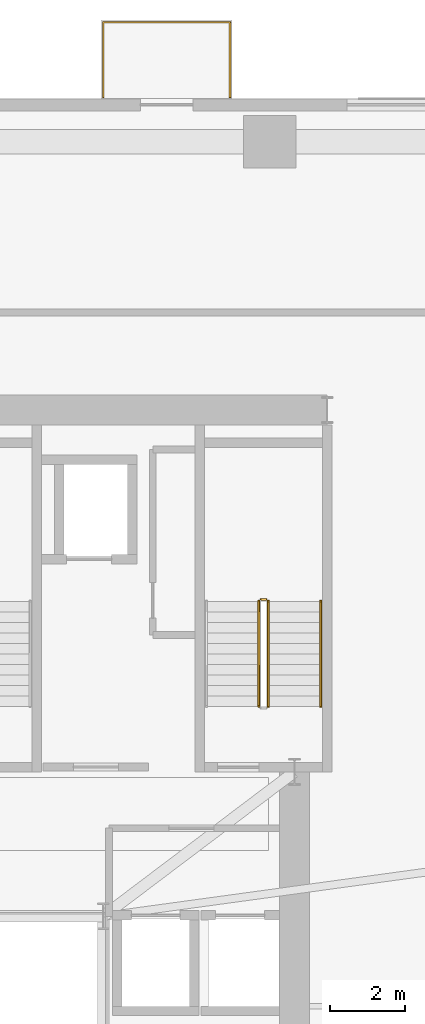
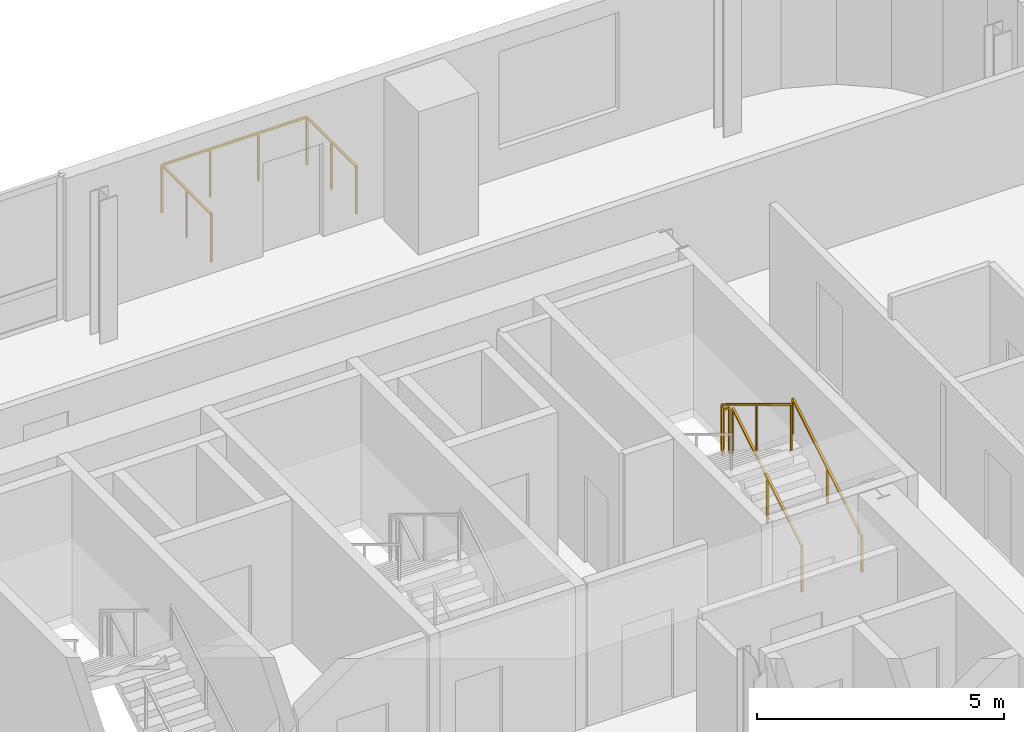
# One storey, part 16 of 16: 5 railings.
"""IFC4 building model written with IfcOpenShell, lengths in metres."""

from ifc_helpers import new_model, si_unit, direction, frame, origin, origin_2d, place, context, subcontext, project, spatial, rectangle, extrude, source, transform, mapped, material, type_object, element, save


model = new_model("IFC4")

# Units and contexts
model_context = context("Model", 3, precision=1e-05, world=origin(), true_north=direction((0.0, 1.0)))
body_context = subcontext(model_context, "Body", "Model", "MODEL_VIEW")
ifc_project = project(units=[si_unit("LENGTHUNIT", "METRE"), si_unit("AREAUNIT", "SQUARE_METRE"), si_unit("VOLUMEUNIT", "CUBIC_METRE"), si_unit("PLANEANGLEUNIT", "RADIAN"), si_unit("MASSUNIT", "GRAM", prefix="KILO")], contexts=[model_context])

# Site, building, storey
site_placement = place(None, origin())
site = spatial("IfcSite", under=ifc_project, at=site_placement, CompositionType="ELEMENT")
building_placement = place(site_placement, origin())
building = spatial("IfcBuilding", under=site, at=building_placement, Name="Vardaveli Station Tower", CompositionType="ELEMENT")
storey_placement = place(building_placement, frame((0.0, 0.0, 226.050048828125)))
storey = spatial("IfcBuildingStorey", under=building, at=storey_placement, Name="L58", CompositionType="ELEMENT", Elevation=226.050048828125)

# Railings
ifc_material_1 = material(Name="Laminated glass and stainless steel balustrade", Category="steel")
railing_type_1 = type_object("IfcRailingType", Name="RL-BAL-1200", PredefinedType="BALUSTRADE", material=ifc_material_1)
shared_shape_1 = source(origin(), body_context, "Body", "SweptSolid", [
    extrude(rectangle(XDim=0.048095703125, YDim=0.048095703125, at=origin_2d()), frame((0.0, 0.0, 1.17578125), z_axis=(0.0, 1.0, 0.0), x_axis=(-1.0, 0.0, 0.0)), (0.0, 0.0, 1.0), 2.0),
    extrude(rectangle(XDim=0.048095703125, YDim=0.048095703125, at=origin_2d()), frame((0.0, 2.0, 1.17578125), z_axis=(1.0, 0.0, 0.0), x_axis=(0.0, 1.0, 0.0)), (0.0, 0.0, 1.0), 3.3798828125),
    extrude(rectangle(XDim=0.048095703125, YDim=0.048095703125, at=origin_2d()), frame((3.3798828125, 2.0, 1.17578125), z_axis=(0.0, -1.0, 0.0), x_axis=(1.0, 0.0, 0.0)), (0.0, 0.0, 1.0), 2.0),
    extrude(rectangle(XDim=0.0419921875, YDim=0.0419921875, at=origin_2d()), origin(), (0.0, 0.0, 1.0), 1.15185546875),
    extrude(rectangle(XDim=0.0419921875, YDim=0.0419921875, at=origin_2d()), frame((0.0, 1.0, 0.0)), (0.0, 0.0, 1.0), 1.15185546875),
    extrude(rectangle(XDim=0.0419921875, YDim=0.0419921875, at=origin_2d()), frame((0.0, 2.0, 0.0)), (0.0, 0.0, 1.0), 1.15185546875),
    extrude(rectangle(XDim=0.0419921875, YDim=0.0419921875, at=origin_2d()), frame((1.126708984375, 2.0, 0.0)), (0.0, 0.0, 1.0), 1.15185546875),
    extrude(rectangle(XDim=0.0419921875, YDim=0.0419921875, at=origin_2d()), frame((2.253173828125, 2.0, 0.0)), (0.0, 0.0, 1.0), 1.15185546875),
    extrude(rectangle(XDim=0.0419921875, YDim=0.0419921875, at=origin_2d()), frame((3.3798828125, 2.0, 0.0)), (0.0, 0.0, 1.0), 1.15185546875),
    extrude(rectangle(XDim=0.0419921875, YDim=0.0419921875, at=origin_2d()), frame((3.3798828125, 1.0, 0.0)), (0.0, 0.0, 1.0), 1.15185546875),
    extrude(rectangle(XDim=0.0419921875, YDim=0.0419921875, at=origin_2d()), frame((3.3798828125, 0.0, 0.0)), (0.0, 0.0, 1.0), 1.15185546875),
])
railing_1_placement = place(storey_placement, frame((41.399658203125, 48.639892578125, 0.0)))
element("IfcRailing", 1, at=railing_1_placement, inside=storey, type_object=railing_type_1, Name="RL-LOG-L58-02", PredefinedType="BALUSTRADE", context=body_context, shape_type="MappedRepresentation", body=[
    mapped(shared_shape_1, transform((0.0, 0.0, 0.0), scale=1.0)),
])
ifc_material_2 = material(Name="Brushed AISI 316 stainless steel", Category="steel")
railing_type_2 = type_object("IfcRailingType", Name="RL-GUARD-1150", PredefinedType="GUARDRAIL", material=ifc_material_2)
shared_shape_2 = source(origin(), body_context, "Body", "SweptSolid", [
    extrude(rectangle(XDim=0.048095703125, YDim=0.048095703125, at=origin_2d()), frame((0.0, 0.0, 1.1259765625), z_axis=(-1.0, 0.0, 0.0), x_axis=(0.0, -1.0, 0.0)), (0.0, 0.0, 1.0), 0.14990234375),
    extrude(rectangle(XDim=0.0419921875, YDim=0.0419921875, at=origin_2d()), origin(), (0.0, 0.0, 1.0), 1.101806640625),
    extrude(rectangle(XDim=0.0419921875, YDim=0.0419921875, at=origin_2d()), frame((-0.14990234375, 0.0, 0.0)), (0.0, 0.0, 1.0), 1.101806640625),
])
railing_2_placement = place(storey_placement, frame((45.75, 35.25, 1.875)))
element("IfcRailing", 2, at=railing_2_placement, inside=storey, type_object=railing_type_2, Name="L58 ST-3 stair guard 2", PredefinedType="GUARDRAIL", context=body_context, shape_type="MappedRepresentation", body=[
    mapped(shared_shape_2, transform((0.0, 0.0, 0.0), scale=1.0)),
])
shared_shape_3 = source(origin(), body_context, "Body", "SweptSolid", [
    extrude(rectangle(XDim=0.048095703125, YDim=0.048095703125, at=origin_2d()), frame((0.0, 0.0, 1.1259765625), z_axis=(0.0, 0.854169791009, 0.51999420009), x_axis=(-1.0, 0.0, 0.0)), (0.0, 0.0, 1.0), 3.278076171875),
    extrude(rectangle(XDim=0.0419921875, YDim=0.0419921875, at=origin_2d()), origin(), (0.0, 0.0, 1.0), 1.101806640625),
    extrude(rectangle(XDim=0.0419921875, YDim=0.0419921875, at=origin_2d()), frame((0.0, 1.39990234375, 0.852294921875)), (0.0, 0.0, 1.0), 1.101806640625),
    extrude(rectangle(XDim=0.0419921875, YDim=0.0419921875, at=origin_2d()), frame((0.0, 2.800048828125, 1.70458984375)), (0.0, 0.0, 1.0), 1.101806640625),
])
railing_3_placement = place(storey_placement, frame((45.800048828125, 32.39990234375, 0.17041015625)))
element("IfcRailing", 3, at=railing_3_placement, inside=storey, type_object=railing_type_2, Name="L58 ST-3 stair guard 1", PredefinedType="GUARDRAIL", context=body_context, shape_type="MappedRepresentation", body=[
    mapped(shared_shape_3, transform((0.0, 0.0, 0.0), scale=1.0)),
])
shared_shape_4 = source(origin(), body_context, "Body", "SweptSolid", [
    extrude(rectangle(XDim=0.048095703125, YDim=0.048095703125, at=origin_2d()), frame((0.0, 0.0, 1.1259765625), z_axis=(0.0, -0.854169791009, 0.51999420009), x_axis=(1.0, 0.0, 0.0)), (0.0, 0.0, 1.0), 3.278076171875),
    extrude(rectangle(XDim=0.0419921875, YDim=0.0419921875, at=origin_2d()), origin(), (0.0, 0.0, 1.0), 1.101806640625),
    extrude(rectangle(XDim=0.0419921875, YDim=0.0419921875, at=origin_2d()), frame((0.0, -1.39990234375, 0.852294921875)), (0.0, 0.0, 1.0), 1.101806640625),
    extrude(rectangle(XDim=0.0419921875, YDim=0.0419921875, at=origin_2d()), frame((0.0, -2.800048828125, 1.70458984375)), (0.0, 0.0, 1.0), 1.101806640625),
])
railing_4_placement = place(storey_placement, frame((45.550048828125, 35.199951171875, 2.04541015625)))
element("IfcRailing", 4, at=railing_4_placement, inside=storey, type_object=railing_type_2, Name="L58 ST-3 stair guard 3", PredefinedType="GUARDRAIL", context=body_context, shape_type="MappedRepresentation", body=[
    mapped(shared_shape_4, transform((0.0, 0.0, 0.0), scale=1.0)),
])
railing_type_3 = type_object("IfcRailingType", Name="RL-HAND-900", PredefinedType="HANDRAIL", material=ifc_material_2)
shared_shape_5 = source(origin(), body_context, "Body", "SweptSolid", [
    extrude(rectangle(XDim=0.048095703125, YDim=0.048095703125, at=origin_2d()), frame((0.0, 0.0, 0.8759765625), z_axis=(0.0, 0.854169791009, 0.51999420009), x_axis=(-1.0, 0.0, 0.0)), (0.0, 0.0, 1.0), 3.278076171875),
    extrude(rectangle(XDim=0.0419921875, YDim=0.0419921875, at=origin_2d()), origin(), (0.0, 0.0, 1.0), 0.851806640625),
    extrude(rectangle(XDim=0.0419921875, YDim=0.0419921875, at=origin_2d()), frame((0.0, 1.39990234375, 0.852294921875)), (0.0, 0.0, 1.0), 0.851806640625),
    extrude(rectangle(XDim=0.0419921875, YDim=0.0419921875, at=origin_2d()), frame((0.0, 2.800048828125, 1.70458984375)), (0.0, 0.0, 1.0), 0.851806640625),
])
railing_5_placement = place(storey_placement, frame((47.199951171875, 32.39990234375, 0.17041015625)))
element("IfcRailing", 5, at=railing_5_placement, inside=storey, type_object=railing_type_3, Name="L58 ST-3 stair handrail 1", PredefinedType="HANDRAIL", context=body_context, shape_type="MappedRepresentation", body=[
    mapped(shared_shape_5, transform((0.0, 0.0, 0.0), scale=1.0)),
])

save(model, "model.ifc")
